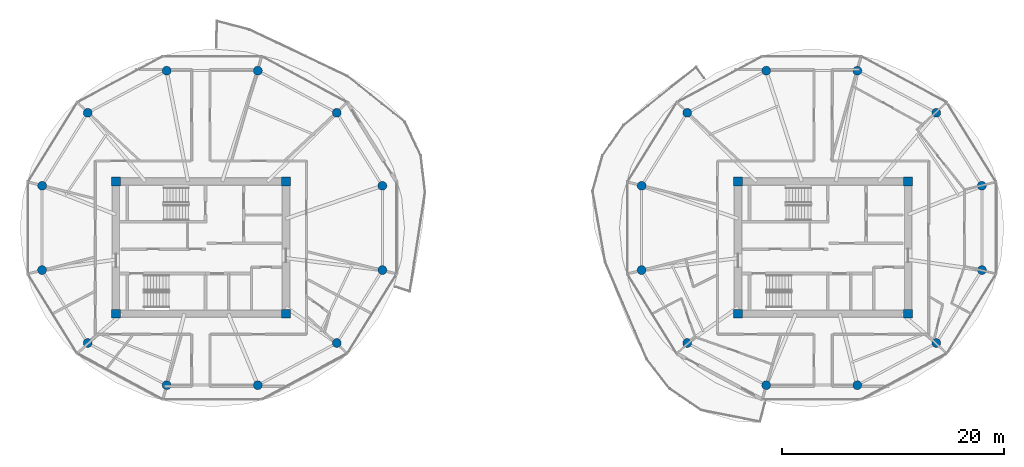
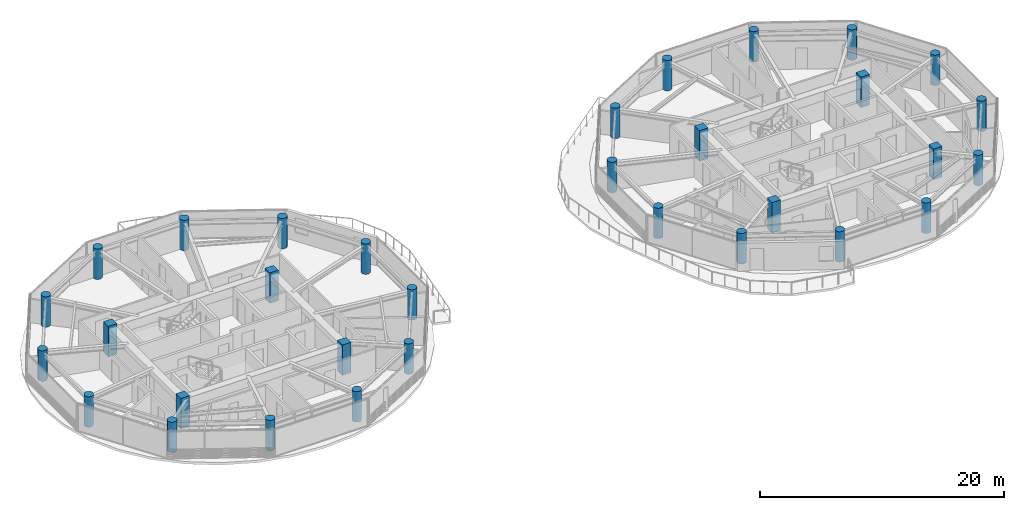
# One storey, part 1 of 21: 32 columns.
"""IFC4 building model written with IfcOpenShell, lengths in metres."""

from ifc_helpers import new_model, si_unit, direction, frame, origin, origin_2d, place, context, subcontext, project, spatial, rectangle, circle, extrude, source, transform, mapped, material, material_profile, profile_set, type_object, type_shapes, element, save


model = new_model("IFC4")

# Units and contexts
model_context = context("Model", 3, precision=1e-05, world=origin(), true_north=direction((0.0, 1.0)))
body_context = subcontext(model_context, "Body", "Model", "MODEL_VIEW")
ifc_project = project(units=[si_unit("LENGTHUNIT", "METRE"), si_unit("AREAUNIT", "SQUARE_METRE"), si_unit("VOLUMEUNIT", "CUBIC_METRE"), si_unit("PLANEANGLEUNIT", "RADIAN"), si_unit("MASSUNIT", "GRAM", prefix="KILO")], contexts=[model_context])

# Site, building, storey
site_placement = place(None, origin())
site = spatial("IfcSite", under=ifc_project, at=site_placement, CompositionType="ELEMENT")
building_placement = place(site_placement, origin())
building = spatial("IfcBuilding", under=site, at=building_placement, Name="Norrkilde Senior Care Towers", CompositionType="ELEMENT")
storey_placement = place(building_placement, frame((0.0, 0.0, 140.39990234375)))
storey = spatial("IfcBuildingStorey", under=building, at=storey_placement, Name="L43", CompositionType="ELEMENT", Elevation=140.39990234375)

# Columns
ifc_material_1 = material(Name="Concrete C60/75", Category="concrete")
ifc_material_profile_1 = material_profile(ifc_material_1, rectangle(XDim=0.800048828125, YDim=0.800048828125, at=origin_2d()), Name="RC COL 800x800")
ifc_profile_set_1 = profile_set([ifc_material_profile_1], Name="Concrete C60/75")
column_type_1 = type_object("IfcColumnType", Name="Column Core Corner Z3-Z4 800", PredefinedType="COLUMN", material=ifc_profile_set_1)
shared_shape_1 = source(origin(), body_context, "Body", "SweptSolid", [
    extrude(rectangle(XDim=0.800048828125, YDim=0.800048828125, at=origin_2d()), origin(), (0.0, 0.0, 1.0), 3.050048828125),
])
type_shapes(column_type_1, [shared_shape_1])
for number, where, z_axis, x_axis, name in (
    (1, (-35.64990234375, -5.949951171875, 0.0), (0.0, 0.0, 1.0), (1.0, 0.0, 0.0), "L43 Core W Corner Column 1"),
    (2, (-20.35009765625, -5.949951171875, 0.0), (0.0, 0.0, 1.0), (1.0, 0.0, 0.0), "L43 Core W Corner Column 2"),
    (3, (-20.35009765625, 5.949951171875, 0.0), (0.0, 0.0, 1.0), (1.0, 0.0, 0.0), "L43 Core W Corner Column 3"),
    (4, (-35.64990234375, 5.949951171875, 0.0), (0.0, 0.0, 1.0), (1.0, 0.0, 0.0), "L43 Core W Corner Column 4"),
    (5, (20.35009765625, -5.949951171875, 0.0), (0.0, 0.0, 1.0), (1.0, 0.0, 0.0), "L43 Core E Corner Column 1"),
    (6, (35.64990234375, -5.949951171875, 0.0), (0.0, 0.0, 1.0), (1.0, 0.0, 0.0), "L43 Core E Corner Column 2"),
    (7, (35.64990234375, 5.949951171875, 0.0), (0.0, 0.0, 1.0), (1.0, 0.0, 0.0), "L43 Core E Corner Column 3"),
    (8, (20.35009765625, 5.949951171875, 0.0), (0.0, 0.0, 1.0), (1.0, 0.0, 0.0), "L43 Core E Corner Column 4"),
):
    element("IfcColumn", number, at=place(storey_placement, frame(where, z_axis=z_axis, x_axis=x_axis)), inside=storey, type_object=column_type_1, Name=name, PredefinedType="COLUMN", context=body_context, shape_type="MappedRepresentation", body=[
        mapped(shared_shape_1, transform((0.0, 0.0, 0.0), x_axis=(1.0, 0.0, 0.0), y_axis=(0.0, 1.0, 0.0), z_axis=(0.0, 0.0, 1.0), scale=1.0)),
    ])
ifc_material_2 = material(Name="Concrete C50/60", Category="concrete")
ifc_material_profile_2 = material_profile(ifc_material_2, circle(Radius=0.39990234375, at=origin_2d()), Name="RC CIR 800")
ifc_profile_set_2 = profile_set([ifc_material_profile_2], Name="Concrete C50/60")
column_type_2 = type_object("IfcColumnType", Name="Column Perimeter Z3 800", PredefinedType="COLUMN", material=ifc_profile_set_2)
shared_shape_2 = source(origin(), body_context, "Body", "SweptSolid", [
    extrude(circle(Radius=0.39990234375, at=origin_2d()), origin(), (0.0, 0.0, 1.0), 3.050048828125),
])
type_shapes(column_type_2, [shared_shape_2])
for number, where, z_axis, x_axis, name in (
    (9, (-11.6650390625, 5.567138671875, 0.0), (0.0, 0.0, 1.0), (1.0, 0.0, 0.0), "L43 Drum W Perimeter Column 01"),
    (10, (-15.767333984375, 12.134521484375, 0.0), (0.0, 0.0, 1.0), (1.0, 0.0, 0.0), "L43 Drum W Perimeter Column 02"),
    (11, (-22.872802734375, 15.92626953125, 0.0), (0.0, 0.0, 1.0), (1.0, 0.0, 0.0), "L43 Drum W Perimeter Column 03"),
    (12, (-31.077392578125, 15.92626953125, 0.0), (0.0, 0.0, 1.0), (1.0, 0.0, 0.0), "L43 Drum W Perimeter Column 04"),
    (13, (-38.1826171875, 12.134521484375, 0.0), (0.0, 0.0, 1.0), (1.0, 0.0, 0.0), "L43 Drum W Perimeter Column 05"),
    (14, (-42.284912109375, 5.567138671875, 0.0), (0.0, 0.0, 1.0), (1.0, 0.0, 0.0), "L43 Drum W Perimeter Column 06"),
    (15, (-42.284912109375, -2.016357421875, 0.0), (0.0, 0.0, 1.0), (1.0, 0.0, 0.0), "L43 Drum W Perimeter Column 07"),
    (16, (-38.1826171875, -8.583740234375, 0.0), (0.0, 0.0, 1.0), (1.0, 0.0, 0.0), "L43 Drum W Perimeter Column 08"),
    (17, (-31.077392578125, -12.37548828125, 0.0), (0.0, 0.0, 1.0), (1.0, 0.0, 0.0), "L43 Drum W Perimeter Column 09"),
    (18, (-22.872802734375, -12.37548828125, 0.0), (0.0, 0.0, 1.0), (1.0, 0.0, 0.0), "L43 Drum W Perimeter Column 10"),
    (19, (-15.767333984375, -8.583740234375, 0.0), (0.0, 0.0, 1.0), (1.0, 0.0, 0.0), "L43 Drum W Perimeter Column 11"),
    (20, (-11.6650390625, -2.016357421875, 0.0), (0.0, 0.0, 1.0), (1.0, 0.0, 0.0), "L43 Drum W Perimeter Column 12"),
    (21, (42.284912109375, 5.567138671875, 0.0), (0.0, 0.0, 1.0), (1.0, 0.0, 0.0), "L43 Drum E Perimeter Column 01"),
    (22, (38.1826171875, 12.134521484375, 0.0), (0.0, 0.0, 1.0), (1.0, 0.0, 0.0), "L43 Drum E Perimeter Column 02"),
    (23, (31.077392578125, 15.92626953125, 0.0), (0.0, 0.0, 1.0), (1.0, 0.0, 0.0), "L43 Drum E Perimeter Column 03"),
    (24, (22.872802734375, 15.92626953125, 0.0), (0.0, 0.0, 1.0), (1.0, 0.0, 0.0), "L43 Drum E Perimeter Column 04"),
    (25, (15.767333984375, 12.134521484375, 0.0), (0.0, 0.0, 1.0), (1.0, 0.0, 0.0), "L43 Drum E Perimeter Column 05"),
    (26, (11.6650390625, 5.567138671875, 0.0), (0.0, 0.0, 1.0), (1.0, 0.0, 0.0), "L43 Drum E Perimeter Column 06"),
    (27, (11.6650390625, -2.016357421875, 0.0), (0.0, 0.0, 1.0), (1.0, 0.0, 0.0), "L43 Drum E Perimeter Column 07"),
    (28, (15.767333984375, -8.583740234375, 0.0), (0.0, 0.0, 1.0), (1.0, 0.0, 0.0), "L43 Drum E Perimeter Column 08"),
    (29, (22.872802734375, -12.37548828125, 0.0), (0.0, 0.0, 1.0), (1.0, 0.0, 0.0), "L43 Drum E Perimeter Column 09"),
    (30, (31.077392578125, -12.37548828125, 0.0), (0.0, 0.0, 1.0), (1.0, 0.0, 0.0), "L43 Drum E Perimeter Column 10"),
    (31, (38.1826171875, -8.583740234375, 0.0), (0.0, 0.0, 1.0), (1.0, 0.0, 0.0), "L43 Drum E Perimeter Column 11"),
    (32, (42.284912109375, -2.016357421875, 0.0), (0.0, 0.0, 1.0), (1.0, 0.0, 0.0), "L43 Drum E Perimeter Column 12"),
):
    element("IfcColumn", number, at=place(storey_placement, frame(where, z_axis=z_axis, x_axis=x_axis)), inside=storey, type_object=column_type_2, Name=name, PredefinedType="COLUMN", context=body_context, shape_type="MappedRepresentation", body=[
        mapped(shared_shape_2, transform((0.0, 0.0, 0.0), x_axis=(1.0, 0.0, 0.0), y_axis=(0.0, 1.0, 0.0), z_axis=(0.0, 0.0, 1.0), scale=1.0)),
    ])

save(model, "model.ifc")
